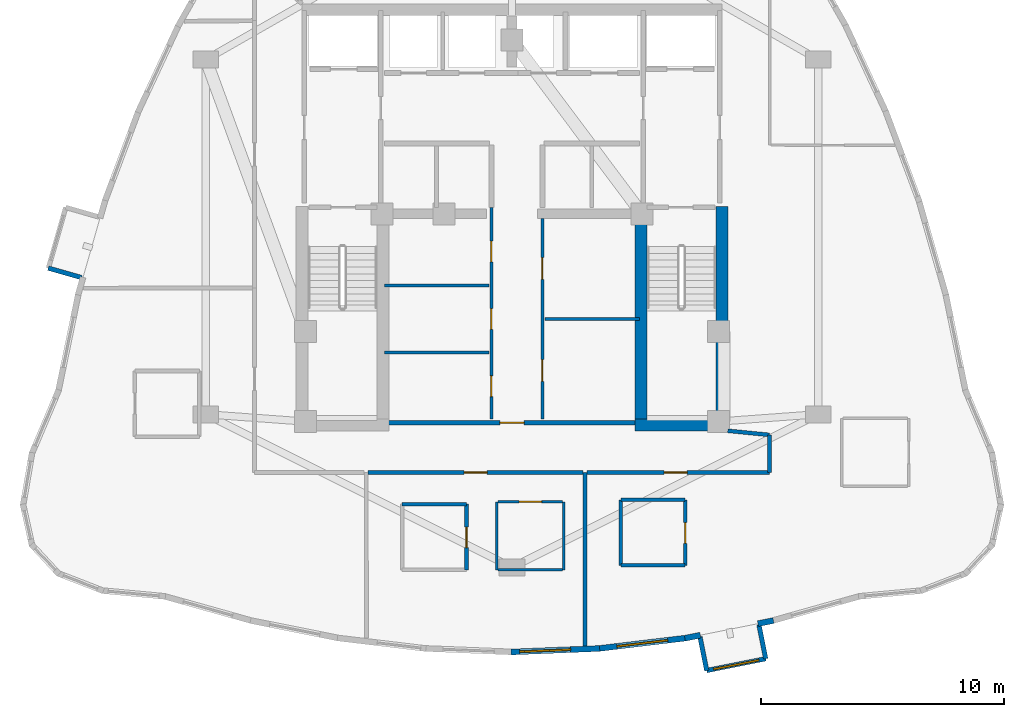
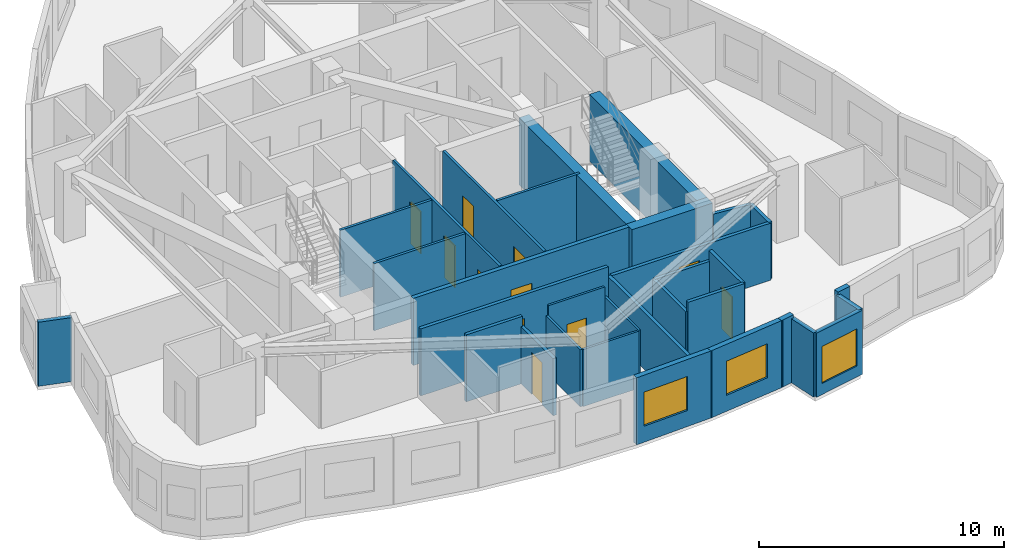
# One storey, part 4 of 9: 32 walls, 11 doors, 3 windows, 14 openings.
"""IFC4 building model written with IfcOpenShell, lengths in metres."""

from ifc_helpers import new_model, si_unit, direction, frame, frame_2d, origin, place, context, subcontext, project, spatial, rectangle, extrude, material, layer, layer_set, type_object, element, fill, save


model = new_model("IFC4")

# Units and contexts
model_context = context("Model", 3, precision=1e-05, world=origin(), true_north=direction((0.0, 1.0)))
body_context = subcontext(model_context, "Body", "Model", "MODEL_VIEW")
ifc_project = project(units=[si_unit("LENGTHUNIT", "METRE"), si_unit("AREAUNIT", "SQUARE_METRE"), si_unit("VOLUMEUNIT", "CUBIC_METRE"), si_unit("PLANEANGLEUNIT", "RADIAN"), si_unit("MASSUNIT", "GRAM", prefix="KILO")], contexts=[model_context])

# Site, building, storey
site_placement = place(None, origin())
site = spatial("IfcSite", under=ifc_project, at=site_placement, CompositionType="ELEMENT")
building_placement = place(site_placement, origin())
building = spatial("IfcBuilding", under=site, at=building_placement, Name="Miruveldt Soraemaru", CompositionType="ELEMENT")
storey_placement = place(building_placement, frame((0.0, 0.0, 194.39990234375)))
storey = spatial("IfcBuildingStorey", under=building, at=storey_placement, Name="L53", CompositionType="ELEMENT", Elevation=194.39990234375)

# Walls
ifc_material_1 = material(Name="White powder-coated aluminium EN AW-6060 T6", Category="aluminium")
ifc_layer_1 = layer(ifc_material_1, 0.18994140625, Name="White powder-coated aluminium EN AW-6060 T6", Category="aluminium")
ifc_layer_set_1 = layer_set([ifc_layer_1], Name="White powder-coated aluminium EN AW-6060 T6")
wall_type_1 = type_object("IfcWallType", Name="WALL-BAY-ALU190", PredefinedType="SOLIDWALL", material=ifc_layer_set_1)
wall_1_placement = place(storey_placement, frame((24.914794921875, 41.81494140625, 0.0), z_axis=(0.0, 0.0, 1.0), x_axis=(0.961439844578, -0.275015318223, 0.0)))
element("IfcWall", 1, at=wall_1_placement, inside=storey, type_object=wall_type_1, Name="L53 Bay Window Side Cheek 1R", PredefinedType="SOLIDWALL", context=body_context, shape_type="SweptSolid", body=[
    extrude(rectangle(XDim=1.4248046875, YDim=0.18994140625, at=frame_2d((0.71240234375, 0.0))), origin(), (0.0, 0.0, 1.0), 3.195068359375),
])
wall_2_placement = place(storey_placement, frame((51.7333984375, 26.6484375, 0.0), z_axis=(0.0, 0.0, 1.0), x_axis=(0.196149079112, -0.980574086321, 0.0)))
element("IfcWall", 2, at=wall_2_placement, inside=storey, type_object=wall_type_1, Name="L53 Bay Window Side Cheek 2L", PredefinedType="SOLIDWALL", context=body_context, shape_type="SweptSolid", body=[
    extrude(rectangle(XDim=1.425048828125, YDim=0.18994140625, at=frame_2d((0.71240234375, 0.0))), origin(), (0.0, 0.0, 1.0), 3.195068359375),
])
wall_3_placement = place(storey_placement, frame((54.443603515625, 25.7373046875, 0.0), z_axis=(0.0, 0.0, 1.0), x_axis=(-0.196017281962, 0.980600441144, 0.0)))
element("IfcWall", 3, at=wall_3_placement, inside=storey, type_object=wall_type_1, Name="L53 Bay Window Side Cheek 2R", PredefinedType="SOLIDWALL", context=body_context, shape_type="SweptSolid", body=[
    extrude(rectangle(XDim=1.4248046875, YDim=0.18994140625, at=frame_2d((0.71240234375, 0.0))), origin(), (0.0, 0.0, 1.0), 3.195068359375),
])

# Wall, opening, window
wall_4_placement = place(storey_placement, frame((52.012939453125, 25.2509765625, 0.0), z_axis=(0.0, 0.0, 1.0), x_axis=(0.980565520471, 0.19619189602, 0.0)))
wall_4 = element("IfcWall", 4, at=wall_4_placement, inside=storey, type_object=wall_type_1, Name="L53 Bay Window Front Frame 2", PredefinedType="SOLIDWALL", context=body_context, shape_type="SweptSolid", body=[
    extrude(rectangle(XDim=2.478759765625, YDim=0.18994140625, at=frame_2d((1.2392578125, 0.0))), origin(), (0.0, 0.0, 1.0), 3.195068359375),
])
opening_1_placement = place(wall_4_placement, frame((0.2890625, 0.0, 0.550048828125)))
opening_1 = element("IfcOpeningElement", 5, at=opening_1_placement, cuts=wall_4, Name="Opening WN-6", PredefinedType="OPENING", context=body_context, shape_type="SweptSolid", body=[
    extrude(rectangle(XDim=1.89990234375, YDim=1.85009765625, at=frame_2d((0.949951171875, 0.925048828125))), frame((0.0, 0.10498046875, 0.0), z_axis=(0.0, -1.0, 0.0), x_axis=(1.0, 0.0, 0.0)), (0.0, 0.0, 1.0), 0.2099609375),
])
ifc_material_2 = material(Name="Triple low-e insulated glazing", Category="glass")
window_type_1 = type_object("IfcWindowType", Name="WIN-BAYW-1900x1850", PartitioningType="SINGLE_PANEL", PredefinedType="WINDOW", material=ifc_material_2)
window_1_placement = place(opening_1_placement, origin())
window_1 = element("IfcWindow", 6, at=window_1_placement, inside=storey, type_object=window_type_1, Name="L53 Projecting Bay Window 2", OverallHeight=1.85009765625, OverallWidth=1.89990234375, PartitioningType="SINGLE_PANEL", PredefinedType="WINDOW", context=body_context, shape_type="SweptSolid", body=[
    extrude(rectangle(XDim=1.89990234375, YDim=1.85009765625, at=frame_2d((0.949951171875, 0.925048828125))), frame((0.0, 0.030029296875, 0.0), z_axis=(0.0, -1.0, 0.0), x_axis=(1.0, 0.0, 0.0)), (0.0, 0.0, 1.0), 0.06005859375),
])
fill(opening_1, window_1)

# Walls
ifc_material_3 = material(Name="Concrete C60/75 (60 MPa)", Category="concrete")
ifc_layer_2 = layer(ifc_material_3, 0.47998046875, Name="Concrete C60/75 (60 MPa)", Category="concrete")
ifc_layer_set_2 = layer_set([ifc_layer_2], Name="Concrete C60/75 (60 MPa)")
wall_type_2 = type_object("IfcWallType", Name="WALL-CW-480", PredefinedType="SHEAR", material=ifc_layer_set_2)
wall_5_placement = place(storey_placement, frame((49.070068359375, 35.360107421875, 0.0), z_axis=(0.0, 0.0, 1.0), x_axis=(1.0, 0.0, 0.0)))
element("IfcWall", 7, at=wall_5_placement, inside=storey, type_object=wall_type_2, Name="L53 Central Core Shear Wall S2", PredefinedType="SHEAR", context=body_context, shape_type="SweptSolid", body=[
    extrude(rectangle(XDim=3.809814453125, YDim=0.47998046875, at=frame_2d((1.90478515625, 0.0))), origin(), (0.0, 0.0, 1.0), 3.34521484375),
])
wall_6_placement = place(storey_placement, frame((52.639892578125, 35.1201171875, 0.0), z_axis=(0.0, 0.0, 1.0), x_axis=(0.0, 1.0, 0.0)))
element("IfcWall", 8, at=wall_6_placement, inside=storey, type_object=wall_type_2, Name="L53 Central Core Shear Wall E1", PredefinedType="SHEAR", context=body_context, shape_type="SweptSolid", body=[
    extrude(rectangle(XDim=9.22998046875, YDim=0.47998046875, at=frame_2d((4.614990234375, 0.0))), origin(), (0.0, 0.0, 1.0), 3.34521484375),
])
wall_7_placement = place(storey_placement, frame((49.31005859375, 35.39990234375, 0.0), z_axis=(0.0, 0.0, 1.0), x_axis=(0.0, 1.0, 0.0)))
element("IfcWall", 9, at=wall_7_placement, inside=storey, type_object=wall_type_2, Name="L53 Central Core Shear Wall SE-INT", PredefinedType="SHEAR", context=body_context, shape_type="SweptSolid", body=[
    extrude(rectangle(XDim=8.9501953125, YDim=0.47998046875, at=frame_2d((4.47509765625, 0.0))), origin(), (0.0, 0.0, 1.0), 3.34521484375),
])

# Wall, opening, window
ifc_material_4 = material(Name="Precast concrete C45/55 (45 MPa)", Category="concrete")
ifc_layer_3 = layer(ifc_material_4, 0.239990234375, Name="Precast concrete C45/55 (45 MPa)", Category="concrete")
ifc_layer_set_3 = layer_set([ifc_layer_3], Name="Precast concrete C45/55 (45 MPa)")
wall_type_3 = type_object("IfcWallType", Name="WALL-EXT-PC240", PredefinedType="SOLIDWALL", material=ifc_layer_set_3)
wall_8_placement = place(storey_placement, frame((43.965087890625, 26.014404296875, 0.0), z_axis=(0.0, 0.0, 1.0), x_axis=(0.999198819095, 0.040021493223, 0.0)))
wall_8 = element("IfcWall", 10, at=wall_8_placement, inside=storey, type_object=wall_type_3, Name="L53 Precast Concrete Facade Wall 25", PredefinedType="SOLIDWALL", context=body_context, shape_type="SweptSolid", body=[
    extrude(rectangle(XDim=3.64794921875, YDim=0.239990234375, at=frame_2d((1.823974609375, 0.0))), origin(), (0.0, 0.0, 1.0), 3.34521484375),
])
opening_2_placement = place(wall_8_placement, frame((0.35107421875, 0.0, 0.800048828125)))
opening_2 = element("IfcOpeningElement", 11, at=opening_2_placement, cuts=wall_8, Name="Opening WN-1", PredefinedType="OPENING", context=body_context, shape_type="SweptSolid", body=[
    extrude(rectangle(XDim=2.10009765625, YDim=1.699951171875, at=frame_2d((1.050048828125, 0.85009765625))), frame((0.0, 0.1298828125, 0.0), z_axis=(0.0, -1.0, 0.0), x_axis=(1.0, 0.0, 0.0)), (0.0, 0.0, 1.0), 0.260009765625),
])
window_type_2 = type_object("IfcWindowType", Name="WIN-PUNCH-2100x1700", PartitioningType="SINGLE_PANEL", PredefinedType="WINDOW", material=ifc_material_2)
window_2_placement = place(opening_2_placement, origin())
window_2 = element("IfcWindow", 12, at=window_2_placement, inside=storey, type_object=window_type_2, Name="L53 Punched Triple-Glazed Window 25.1", OverallHeight=1.699951171875, OverallWidth=2.10009765625, PartitioningType="SINGLE_PANEL", PredefinedType="WINDOW", context=body_context, shape_type="SweptSolid", body=[
    extrude(rectangle(XDim=2.10009765625, YDim=1.699951171875, at=frame_2d((1.050048828125, 0.85009765625))), frame((0.0, 0.030029296875, 0.0), z_axis=(0.0, -1.0, 0.0), x_axis=(1.0, 0.0, 0.0)), (0.0, 0.0, 1.0), 0.06005859375),
])
fill(opening_2, window_2)

wall_9_placement = place(storey_placement, frame((47.540283203125, 26.15478515625, 0.0), z_axis=(0.0, 0.0, 1.0), x_axis=(0.992881557913, 0.11910588548, 0.0)))
wall_9 = element("IfcWall", 13, at=wall_9_placement, inside=storey, type_object=wall_type_3, Name="L53 Precast Concrete Facade Wall 26", PredefinedType="SOLIDWALL", context=body_context, shape_type="SweptSolid", body=[
    extrude(rectangle(XDim=3.671142578125, YDim=0.239990234375, at=frame_2d((1.83544921875, 0.0))), origin(), (0.0, 0.0, 1.0), 3.34521484375),
])
opening_3_placement = place(wall_9_placement, frame((0.785888671875, 0.0, 0.800048828125)))
opening_3 = element("IfcOpeningElement", 14, at=opening_3_placement, cuts=wall_9, Name="Opening WN-1", PredefinedType="OPENING", context=body_context, shape_type="SweptSolid", body=[
    extrude(rectangle(XDim=2.10009765625, YDim=1.699951171875, at=frame_2d((1.050048828125, 0.85009765625))), frame((0.0, 0.1298828125, 0.0), z_axis=(0.0, -1.0, 0.0), x_axis=(1.0, 0.0, 0.0)), (0.0, 0.0, 1.0), 0.260009765625),
])
window_3_placement = place(opening_3_placement, origin())
window_3 = element("IfcWindow", 15, at=window_3_placement, inside=storey, type_object=window_type_2, Name="L53 Punched Triple-Glazed Window 26.1", OverallHeight=1.699951171875, OverallWidth=2.10009765625, PartitioningType="SINGLE_PANEL", PredefinedType="WINDOW", context=body_context, shape_type="SweptSolid", body=[
    extrude(rectangle(XDim=2.10009765625, YDim=1.699951171875, at=frame_2d((1.050048828125, 0.85009765625))), frame((0.0, 0.030029296875, 0.0), z_axis=(0.0, -1.0, 0.0), x_axis=(1.0, 0.0, 0.0)), (0.0, 0.0, 1.0), 0.06005859375),
])
fill(opening_3, window_3)

# Walls
for number, where, z_axis, x_axis, name in (
    (16, (51.1162109375, 26.5810546875, 0.0), (0.0, 0.0, 1.0), (0.980580675691, 0.196116135138, 0.0), "L53 Precast Pier Wall 27A"),
    (17, (54.1240234375, 27.1826171875, 0.0), (0.0, 0.0, 1.0), (0.980580675691, 0.196116135138, 0.0), "L53 Precast Pier Wall 27B"),
):
    element("IfcWall", number, at=place(storey_placement, frame(where, z_axis=z_axis, x_axis=x_axis)), inside=storey, type_object=wall_type_3, Name=name, PredefinedType="SOLIDWALL", context=body_context, shape_type="SweptSolid", body=[
        extrude(rectangle(XDim=0.648681640625, YDim=0.239990234375, at=frame_2d((0.32421875, 0.0))), origin(), (0.0, 0.0, 1.0), 3.34521484375),
    ])

# Wall, opening, door
ifc_material_5 = material(Name="Gypsum plasterboard lining", Category="gypsum")
ifc_layer_4 = layer(ifc_material_5, 0.10009765625, Name="Gypsum plasterboard lining", Category="gypsum")
ifc_layer_set_4 = layer_set([ifc_layer_4], Name="Gypsum plasterboard lining")
wall_type_4 = type_object("IfcWallType", Name="WALL-INT-P100", PredefinedType="PARTITIONING", material=ifc_layer_set_4)
wall_10_placement = place(storey_placement, frame((46.080078125, 32.197998046875, 0.0), z_axis=(0.0, 0.0, 1.0), x_axis=(-1.0, 0.0, 0.0)))
wall_10 = element("IfcWall", 18, at=wall_10_placement, inside=storey, type_object=wall_type_4, Name="L53 Partition Wall 32", PredefinedType="PARTITIONING", context=body_context, shape_type="SweptSolid", body=[
    extrude(rectangle(XDim=2.650146484375, YDim=0.10009765625, at=frame_2d((1.3251953125, 0.0))), origin(), (0.0, 0.0, 1.0), 3.34521484375),
])
opening_4_placement = place(wall_10_placement, frame((0.864990234375, 0.0, 0.0)))
opening_4 = element("IfcOpeningElement", 19, at=opening_4_placement, cuts=wall_10, Name="Opening D3A", PredefinedType="OPENING", context=body_context, shape_type="SweptSolid", body=[
    extrude(rectangle(XDim=0.919921875, YDim=2.10009765625, at=frame_2d((0.4599609375, 1.050048828125))), frame((0.0, 0.06005859375, 0.0), z_axis=(0.0, -1.0, 0.0), x_axis=(1.0, 0.0, 0.0)), (0.0, 0.0, 1.0), 0.1201171875),
])
ifc_material_6 = material(Name="Anodised aluminium EN AW-6063 T6", Category="aluminium")
door_type_1 = type_object("IfcDoorType", Name="DOOR-INT-920", OperationType="NOTDEFINED", PredefinedType="DOOR", material=ifc_material_6)
door_1_placement = place(opening_4_placement, origin())
door_1 = element("IfcDoor", 20, at=door_1_placement, inside=storey, type_object=door_type_1, Name="L53 Unit 5305 KIT Door", OperationType="SINGLE_SWING_RIGHT", OverallHeight=2.10009765625, OverallWidth=0.919921875, PredefinedType="DOOR", context=body_context, shape_type="SweptSolid", body=[
    extrude(rectangle(XDim=0.919921875, YDim=2.10009765625, at=frame_2d((0.4599609375, 1.050048828125))), frame((0.0, 0.02490234375, 0.0), z_axis=(0.0, -1.0, 0.0), x_axis=(1.0, 0.0, 0.0)), (0.0, 0.0, 1.0), 0.050048828125),
])
fill(opening_4, door_1)

# Walls
for number, where, z_axis, x_axis, name in (
    (21, (46.1298828125, 29.39794921875, 0.0), (0.0, 0.0, 1.0), (0.0, 1.0, 0.0), "L53 Partition Wall 31"),
    (22, (43.3798828125, 32.197998046875, 0.0), (0.0, 0.0, 1.0), (0.0, -1.0, 0.0), "L53 Partition Wall 33"),
):
    element("IfcWall", number, at=place(storey_placement, frame(where, z_axis=z_axis, x_axis=x_axis)), inside=storey, type_object=wall_type_4, Name=name, PredefinedType="PARTITIONING", context=body_context, shape_type="SweptSolid", body=[
        extrude(rectangle(XDim=2.800048828125, YDim=0.10009765625, at=frame_2d((1.39990234375, 0.0))), origin(), (0.0, 0.0, 1.0), 2.84521484375),
    ])
wall_11_placement = place(storey_placement, frame((43.429931640625, 29.39794921875, 0.0), z_axis=(0.0, 0.0, 1.0), x_axis=(1.0, 0.0, 0.0)))
element("IfcWall", 23, at=wall_11_placement, inside=storey, type_object=wall_type_4, Name="L53 Partition Wall 34", PredefinedType="PARTITIONING", context=body_context, shape_type="SweptSolid", body=[
    extrude(rectangle(XDim=2.650146484375, YDim=0.10009765625, at=frame_2d((1.3251953125, 0.0))), origin(), (0.0, 0.0, 1.0), 2.84521484375),
])

# Wall, openings, doors
ifc_layer_5 = layer(ifc_material_5, 0.1201171875, Name="Gypsum plasterboard lining", Category="gypsum")
ifc_layer_set_5 = layer_set([ifc_layer_5], Name="Gypsum plasterboard lining")
wall_type_5 = type_object("IfcWallType", Name="WALL-INT-P120", PredefinedType="PARTITIONING", material=ifc_layer_set_5)
wall_12_placement = place(storey_placement, frame((43.14990234375, 35.60009765625, 0.0), z_axis=(0.0, 0.0, 1.0), x_axis=(0.0, 1.0, 0.0)))
wall_12 = element("IfcWall", 24, at=wall_12_placement, inside=storey, type_object=wall_type_5, Name="L53 Core Compartment Wall SP-WL", PredefinedType="PARTITIONING", context=body_context, shape_type="SweptSolid", body=[
    extrude(rectangle(XDim=8.699951171875, YDim=0.1201171875, at=frame_2d((4.35009765625, 0.0))), origin(), (0.0, 0.0, 1.0), 3.34521484375),
])
opening_5_placement = place(wall_12_placement, frame((0.925048828125, 0.0, 0.0)))
opening_5 = element("IfcOpeningElement", 25, at=opening_5_placement, cuts=wall_12, Name="Opening FD3", PredefinedType="OPENING", context=body_context, shape_type="SweptSolid", body=[
    extrude(rectangle(XDim=0.85009765625, YDim=2.10009765625, at=frame_2d((0.425048828125, 1.050048828125))), frame((0.0, 0.070068359375, 0.0), z_axis=(0.0, -1.0, 0.0), x_axis=(1.0, 0.0, 0.0)), (0.0, 0.0, 1.0), 0.14013671875),
])
opening_6_placement = place(wall_12_placement, frame((3.695068359375, 0.0, 0.0)))
opening_6 = element("IfcOpeningElement", 26, at=opening_6_placement, cuts=wall_12, Name="Opening FD3", PredefinedType="OPENING", context=body_context, shape_type="SweptSolid", body=[
    extrude(rectangle(XDim=0.85009765625, YDim=2.10009765625, at=frame_2d((0.425048828125, 1.050048828125))), frame((0.0, 0.070068359375, 0.0), z_axis=(0.0, -1.0, 0.0), x_axis=(1.0, 0.0, 0.0)), (0.0, 0.0, 1.0), 0.14013671875),
])
opening_7_placement = place(wall_12_placement, frame((6.47509765625, 0.0, 0.0)))
opening_7 = element("IfcOpeningElement", 27, at=opening_7_placement, cuts=wall_12, Name="Opening FD3", PredefinedType="OPENING", context=body_context, shape_type="SweptSolid", body=[
    extrude(rectangle(XDim=0.85009765625, YDim=2.10009765625, at=frame_2d((0.425048828125, 1.050048828125))), frame((0.0, 0.070068359375, 0.0), z_axis=(0.0, -1.0, 0.0), x_axis=(1.0, 0.0, 0.0)), (0.0, 0.0, 1.0), 0.14013671875),
])
door_type_2 = type_object("IfcDoorType", Name="DOOR-FD3-850", OperationType="NOTDEFINED", PredefinedType="DOOR", material=ifc_material_6)
door_2_placement = place(opening_5_placement, origin())
door_2 = element("IfcDoor", 28, at=door_2_placement, inside=storey, type_object=door_type_2, Name="L53 Fire Door", OperationType="SINGLE_SWING_LEFT", OverallHeight=2.10009765625, OverallWidth=0.85009765625, PredefinedType="DOOR", context=body_context, shape_type="SweptSolid", body=[
    extrude(rectangle(XDim=0.85009765625, YDim=2.10009765625, at=frame_2d((0.425048828125, 1.050048828125))), frame((0.0, 0.02490234375, 0.0), z_axis=(0.0, -1.0, 0.0), x_axis=(1.0, 0.0, 0.0)), (0.0, 0.0, 1.0), 0.050048828125),
])
fill(opening_5, door_2)
door_3_placement = place(opening_6_placement, origin())
door_3 = element("IfcDoor", 29, at=door_3_placement, inside=storey, type_object=door_type_2, Name="L53 Fire Door", OperationType="SINGLE_SWING_LEFT", OverallHeight=2.10009765625, OverallWidth=0.85009765625, PredefinedType="DOOR", context=body_context, shape_type="SweptSolid", body=[
    extrude(rectangle(XDim=0.85009765625, YDim=2.10009765625, at=frame_2d((0.425048828125, 1.050048828125))), frame((0.0, 0.02490234375, 0.0), z_axis=(0.0, -1.0, 0.0), x_axis=(1.0, 0.0, 0.0)), (0.0, 0.0, 1.0), 0.050048828125),
])
fill(opening_6, door_3)
door_4_placement = place(opening_7_placement, origin())
door_4 = element("IfcDoor", 30, at=door_4_placement, inside=storey, type_object=door_type_2, Name="L53 Fire Door", OperationType="SINGLE_SWING_LEFT", OverallHeight=2.10009765625, OverallWidth=0.85009765625, PredefinedType="DOOR", context=body_context, shape_type="SweptSolid", body=[
    extrude(rectangle(XDim=0.85009765625, YDim=2.10009765625, at=frame_2d((0.425048828125, 1.050048828125))), frame((0.0, 0.02490234375, 0.0), z_axis=(0.0, -1.0, 0.0), x_axis=(1.0, 0.0, 0.0)), (0.0, 0.0, 1.0), 0.050048828125),
])
fill(opening_7, door_4)

wall_13_placement = place(storey_placement, frame((45.25, 35.60009765625, 0.0), z_axis=(0.0, 0.0, 1.0), x_axis=(0.0, 1.0, 0.0)))
wall_13 = element("IfcWall", 31, at=wall_13_placement, inside=storey, type_object=wall_type_5, Name="L53 Core Compartment Wall SP-EL", PredefinedType="PARTITIONING", context=body_context, shape_type="SweptSolid", body=[
    extrude(rectangle(XDim=8.25, YDim=0.1201171875, at=frame_2d((4.125, 0.0))), origin(), (0.0, 0.0, 1.0), 3.34521484375),
])
opening_8_placement = place(wall_13_placement, frame((1.550048828125, 0.0, 0.0)))
opening_8 = element("IfcOpeningElement", 32, at=opening_8_placement, cuts=wall_13, Name="Opening D3", PredefinedType="OPENING", context=body_context, shape_type="SweptSolid", body=[
    extrude(rectangle(XDim=0.89990234375, YDim=2.10009765625, at=frame_2d((0.449951171875, 1.050048828125))), frame((0.0, 0.070068359375, 0.0), z_axis=(0.0, -1.0, 0.0), x_axis=(1.0, 0.0, 0.0)), (0.0, 0.0, 1.0), 0.14013671875),
])
opening_9_placement = place(wall_13_placement, frame((5.75, 0.0, 0.0)))
opening_9 = element("IfcOpeningElement", 33, at=opening_9_placement, cuts=wall_13, Name="Opening D3", PredefinedType="OPENING", context=body_context, shape_type="SweptSolid", body=[
    extrude(rectangle(XDim=0.89990234375, YDim=2.10009765625, at=frame_2d((0.449951171875, 1.050048828125))), frame((0.0, 0.070068359375, 0.0), z_axis=(0.0, -1.0, 0.0), x_axis=(1.0, 0.0, 0.0)), (0.0, 0.0, 1.0), 0.14013671875),
])
door_type_3 = type_object("IfcDoorType", Name="DOOR-INT-900", OperationType="NOTDEFINED", PredefinedType="DOOR", material=ifc_material_6)
door_5_placement = place(opening_8_placement, origin())
door_5 = element("IfcDoor", 34, at=door_5_placement, inside=storey, type_object=door_type_3, Name="L53 Fire Door", OperationType="SINGLE_SWING_LEFT", OverallHeight=2.10009765625, OverallWidth=0.89990234375, PredefinedType="DOOR", context=body_context, shape_type="SweptSolid", body=[
    extrude(rectangle(XDim=0.89990234375, YDim=2.10009765625, at=frame_2d((0.449951171875, 1.050048828125))), frame((0.0, 0.02490234375, 0.0), z_axis=(0.0, -1.0, 0.0), x_axis=(1.0, 0.0, 0.0)), (0.0, 0.0, 1.0), 0.050048828125),
])
fill(opening_8, door_5)
door_6_placement = place(opening_9_placement, origin())
door_6 = element("IfcDoor", 35, at=door_6_placement, inside=storey, type_object=door_type_3, Name="L53 Fire Door", OperationType="SINGLE_SWING_LEFT", OverallHeight=2.10009765625, OverallWidth=0.89990234375, PredefinedType="DOOR", context=body_context, shape_type="SweptSolid", body=[
    extrude(rectangle(XDim=0.89990234375, YDim=2.10009765625, at=frame_2d((0.449951171875, 1.050048828125))), frame((0.0, 0.02490234375, 0.0), z_axis=(0.0, -1.0, 0.0), x_axis=(1.0, 0.0, 0.0)), (0.0, 0.0, 1.0), 0.050048828125),
])
fill(opening_9, door_6)

# Walls
for number, where, z_axis, x_axis, name in (
    (36, (38.75, 38.35009765625, 0.0), (0.0, 0.0, 1.0), (1.0, 0.0, 0.0), "L53 Core Compartment Wall RL-W3A"),
    (37, (38.75, 41.10009765625, 0.0), (0.0, 0.0, 1.0), (1.0, 0.0, 0.0), "L53 Core Compartment Wall RL-W3B"),
):
    element("IfcWall", number, at=place(storey_placement, frame(where, z_axis=z_axis, x_axis=x_axis)), inside=storey, type_object=wall_type_5, Name=name, PredefinedType="PARTITIONING", context=body_context, shape_type="SweptSolid", body=[
        extrude(rectangle(XDim=4.300048828125, YDim=0.1201171875, at=frame_2d((2.14990234375, 0.0))), origin(), (0.0, 0.0, 1.0), 3.34521484375),
    ])
wall_14_placement = place(storey_placement, frame((45.35009765625, 39.719970703125, 0.0), z_axis=(0.0, 0.0, 1.0), x_axis=(1.0, 0.0, 0.0)))
element("IfcWall", 38, at=wall_14_placement, inside=storey, type_object=wall_type_5, Name="L53 Core Compartment Wall RL-E3H", PredefinedType="PARTITIONING", context=body_context, shape_type="SweptSolid", body=[
    extrude(rectangle(XDim=3.89990234375, YDim=0.1201171875, at=frame_2d((1.949951171875, 0.0))), origin(), (0.0, 0.0, 1.0), 3.34521484375),
])

# Wall, opening, door
ifc_layer_6 = layer(ifc_material_5, 0.14990234375, Name="Gypsum plasterboard lining", Category="gypsum")
ifc_layer_set_6 = layer_set([ifc_layer_6], Name="Gypsum plasterboard lining")
wall_type_6 = type_object("IfcWallType", Name="WALL-INT-PLUMB", PredefinedType="PLUMBINGWALL", material=ifc_layer_set_6)
wall_15_placement = place(storey_placement, frame((51.1298828125, 29.5791015625, 0.0), z_axis=(0.0, 0.0, 1.0), x_axis=(0.0, 1.0, 0.0)))
wall_15 = element("IfcWall", 39, at=wall_15_placement, inside=storey, type_object=wall_type_6, Name="L53 Partition Wall 36", PredefinedType="PLUMBINGWALL", context=body_context, shape_type="SweptSolid", body=[
    extrude(rectangle(XDim=2.699951171875, YDim=0.14990234375, at=frame_2d((1.35009765625, 0.0))), origin(), (0.0, 0.0, 1.0), 3.34521484375),
])
opening_10_placement = place(wall_15_placement, frame((0.909912109375, 0.0, 0.0)))
opening_10 = element("IfcOpeningElement", 40, at=opening_10_placement, cuts=wall_15, Name="Opening FD3", PredefinedType="OPENING", context=body_context, shape_type="SweptSolid", body=[
    extrude(rectangle(XDim=0.85009765625, YDim=2.10009765625, at=frame_2d((0.425048828125, 1.050048828125))), frame((0.0, 0.0849609375, 0.0), z_axis=(0.0, -1.0, 0.0), x_axis=(1.0, 0.0, 0.0)), (0.0, 0.0, 1.0), 0.169921875),
])
door_7_placement = place(opening_10_placement, origin())
door_7 = element("IfcDoor", 41, at=door_7_placement, inside=storey, type_object=door_type_2, Name="L53 Unit 5306 BTH Door", OperationType="SINGLE_SWING_RIGHT", OverallHeight=2.10009765625, OverallWidth=0.85009765625, PredefinedType="DOOR", context=body_context, shape_type="SweptSolid", body=[
    extrude(rectangle(XDim=0.85009765625, YDim=2.10009765625, at=frame_2d((0.425048828125, 1.050048828125))), frame((0.0, 0.02490234375, 0.0), z_axis=(0.0, -1.0, 0.0), x_axis=(1.0, 0.0, 0.0)), (0.0, 0.0, 1.0), 0.050048828125),
])
fill(opening_10, door_7)

wall_16_placement = place(storey_placement, frame((42.1298828125, 29.39794921875, 0.0), z_axis=(0.0, 0.0, 1.0), x_axis=(0.0, 1.0, 0.0)))
wall_16 = element("IfcWall", 42, at=wall_16_placement, inside=storey, type_object=wall_type_6, Name="L53 Partition Wall 27", PredefinedType="PLUMBINGWALL", context=body_context, shape_type="SweptSolid", body=[
    extrude(rectangle(XDim=2.699951171875, YDim=0.14990234375, at=frame_2d((1.35009765625, 0.0))), origin(), (0.0, 0.0, 1.0), 2.84521484375),
])
opening_11_placement = place(wall_16_placement, frame((0.909912109375, 0.0, 0.0)))
opening_11 = element("IfcOpeningElement", 43, at=opening_11_placement, cuts=wall_16, Name="Opening FD3", PredefinedType="OPENING", context=body_context, shape_type="SweptSolid", body=[
    extrude(rectangle(XDim=0.85009765625, YDim=2.10009765625, at=frame_2d((0.425048828125, 1.050048828125))), frame((0.0, 0.0849609375, 0.0), z_axis=(0.0, -1.0, 0.0), x_axis=(1.0, 0.0, 0.0)), (0.0, 0.0, 1.0), 0.169921875),
])
door_8_placement = place(opening_11_placement, origin())
door_8 = element("IfcDoor", 44, at=door_8_placement, inside=storey, type_object=door_type_2, Name="L53 Unit 5305 BTH Door", OperationType="SINGLE_SWING_LEFT", OverallHeight=2.10009765625, OverallWidth=0.85009765625, PredefinedType="DOOR", context=body_context, shape_type="SweptSolid", body=[
    extrude(rectangle(XDim=0.85009765625, YDim=2.10009765625, at=frame_2d((0.425048828125, 1.050048828125))), frame((0.0, 0.02490234375, 0.0), z_axis=(0.0, -1.0, 0.0), x_axis=(1.0, 0.0, 0.0)), (0.0, 0.0, 1.0), 0.050048828125),
])
fill(opening_11, door_8)

# Walls
wall_17_placement = place(storey_placement, frame((48.47998046875, 32.279052734375, 0.0), z_axis=(0.0, 0.0, 1.0), x_axis=(0.0, -1.0, 0.0)))
element("IfcWall", 45, at=wall_17_placement, inside=storey, type_object=wall_type_6, Name="L53 Partition Wall 38", PredefinedType="PLUMBINGWALL", context=body_context, shape_type="SweptSolid", body=[
    extrude(rectangle(XDim=2.699951171875, YDim=0.14990234375, at=frame_2d((1.35009765625, 0.0))), origin(), (0.0, 0.0, 1.0), 2.84521484375),
])
wall_18_placement = place(storey_placement, frame((42.1298828125, 32.097900390625, 0.0), z_axis=(0.0, 0.0, 1.0), x_axis=(-1.0, 0.0, 0.0)))
element("IfcWall", 46, at=wall_18_placement, inside=storey, type_object=wall_type_6, Name="L53 Partition Wall 28", PredefinedType="PLUMBINGWALL", context=body_context, shape_type="SweptSolid", body=[
    extrude(rectangle(XDim=2.64990234375, YDim=0.14990234375, at=frame_2d((1.324951171875, 0.0))), origin(), (0.0, 0.0, 1.0), 3.34521484375),
])
wall_19_placement = place(storey_placement, frame((51.1298828125, 32.279052734375, 0.0), z_axis=(0.0, 0.0, 1.0), x_axis=(-1.0, 0.0, 0.0)))
element("IfcWall", 47, at=wall_19_placement, inside=storey, type_object=wall_type_6, Name="L53 Partition Wall 37", PredefinedType="PLUMBINGWALL", context=body_context, shape_type="SweptSolid", body=[
    extrude(rectangle(XDim=2.64990234375, YDim=0.14990234375, at=frame_2d((1.324951171875, 0.0))), origin(), (0.0, 0.0, 1.0), 2.84521484375),
])
wall_20_placement = place(storey_placement, frame((48.47998046875, 29.5791015625, 0.0), z_axis=(0.0, 0.0, 1.0), x_axis=(1.0, 0.0, 0.0)))
element("IfcWall", 48, at=wall_20_placement, inside=storey, type_object=wall_type_6, Name="L53 Partition Wall 39", PredefinedType="PLUMBINGWALL", context=body_context, shape_type="SweptSolid", body=[
    extrude(rectangle(XDim=2.64990234375, YDim=0.14990234375, at=frame_2d((1.324951171875, 0.0))), origin(), (0.0, 0.0, 1.0), 3.34521484375),
])

# Wall, opening, door
ifc_material_7 = material(Name="Concrete C40/50 (40 MPa)", Category="concrete")
ifc_layer_7 = layer(ifc_material_7, 0.159912109375, Name="Concrete C40/50 (40 MPa)", Category="concrete")
ifc_layer_set_7 = layer_set([ifc_layer_7], Name="Concrete C40/50 (40 MPa)")
wall_type_7 = type_object("IfcWallType", Name="WALL-INT-RC160", PredefinedType="SOLIDWALL", material=ifc_layer_set_7)
wall_21_placement = place(storey_placement, frame((38.080078125, 33.39990234375, 0.0), z_axis=(0.0, 0.0, 1.0), x_axis=(1.0, 0.0, 0.0)))
wall_21 = element("IfcWall", 49, at=wall_21_placement, inside=storey, type_object=wall_type_7, Name="L53 Partition Wall 7", PredefinedType="SOLIDWALL", context=body_context, shape_type="SweptSolid", body=[
    extrude(rectangle(XDim=8.83984375, YDim=0.159912109375, at=frame_2d((4.419921875, 0.0))), origin(), (0.0, 0.0, 1.0), 3.34521484375),
])
opening_12_placement = place(wall_21_placement, frame((3.945068359375, 0.0, 0.0)))
opening_12 = element("IfcOpeningElement", 50, at=opening_12_placement, cuts=wall_21, Name="Opening FD2", PredefinedType="OPENING", context=body_context, shape_type="SweptSolid", body=[
    extrude(rectangle(XDim=0.949951171875, YDim=2.14990234375, at=frame_2d((0.47509765625, 1.074951171875))), frame((0.0, 0.08984375, 0.0), z_axis=(0.0, -1.0, 0.0), x_axis=(1.0, 0.0, 0.0)), (0.0, 0.0, 1.0), 0.179931640625),
])
door_type_4 = type_object("IfcDoorType", Name="DOOR-FD2-950", OperationType="NOTDEFINED", PredefinedType="DOOR", material=ifc_material_6)
door_9_placement = place(opening_12_placement, origin())
door_9 = element("IfcDoor", 51, at=door_9_placement, inside=storey, type_object=door_type_4, Name="L53 Unit 5305 Entrance Fire Door", OperationType="SINGLE_SWING_RIGHT", OverallHeight=2.14990234375, OverallWidth=0.949951171875, PredefinedType="DOOR", context=body_context, shape_type="SweptSolid", body=[
    extrude(rectangle(XDim=0.949951171875, YDim=2.14990234375, at=frame_2d((0.47509765625, 1.074951171875))), frame((0.0, 0.02490234375, 0.0), z_axis=(0.0, -1.0, 0.0), x_axis=(1.0, 0.0, 0.0)), (0.0, 0.0, 1.0), 0.050048828125),
])
fill(opening_12, door_9)

wall_22_placement = place(storey_placement, frame((47.0830078125, 33.39990234375, 0.0), z_axis=(0.0, 0.0, 1.0), x_axis=(1.0, 0.0, 0.0)))
wall_22 = element("IfcWall", 52, at=wall_22_placement, inside=storey, type_object=wall_type_7, Name="L53 Partition Wall 10", PredefinedType="SOLIDWALL", context=body_context, shape_type="SweptSolid", body=[
    extrude(rectangle(XDim=7.51708984375, YDim=0.159912109375, at=frame_2d((3.758544921875, 0.0))), origin(), (0.0, 0.0, 1.0), 2.84521484375),
])
opening_13_placement = place(wall_22_placement, frame((3.174072265625, 0.0, 0.0)))
opening_13 = element("IfcOpeningElement", 53, at=opening_13_placement, cuts=wall_22, Name="Opening FD2", PredefinedType="OPENING", context=body_context, shape_type="SweptSolid", body=[
    extrude(rectangle(XDim=0.949951171875, YDim=2.14990234375, at=frame_2d((0.47509765625, 1.074951171875))), frame((0.0, 0.08984375, 0.0), z_axis=(0.0, -1.0, 0.0), x_axis=(1.0, 0.0, 0.0)), (0.0, 0.0, 1.0), 0.179931640625),
])
door_10_placement = place(opening_13_placement, origin())
door_10 = element("IfcDoor", 54, at=door_10_placement, inside=storey, type_object=door_type_4, Name="L53 Unit 5306 Entrance Fire Door", OperationType="SINGLE_SWING_LEFT", OverallHeight=2.14990234375, OverallWidth=0.949951171875, PredefinedType="DOOR", context=body_context, shape_type="SweptSolid", body=[
    extrude(rectangle(XDim=0.949951171875, YDim=2.14990234375, at=frame_2d((0.47509765625, 1.074951171875))), frame((0.0, 0.02490234375, 0.0), z_axis=(0.0, -1.0, 0.0), x_axis=(1.0, 0.0, 0.0)), (0.0, 0.0, 1.0), 0.050048828125),
])
fill(opening_13, door_10)

# Walls
wall_23_placement = place(storey_placement, frame((46.998046875, 26.27099609375, 0.0), z_axis=(0.0, 0.0, 1.0), x_axis=(0.00027408523, 0.999999962439, 0.0)))
element("IfcWall", 55, at=wall_23_placement, inside=storey, type_object=wall_type_7, Name="L53 Partition Wall 35", PredefinedType="SOLIDWALL", context=body_context, shape_type="SweptSolid", body=[
    extrude(rectangle(XDim=7.1259765625, YDim=0.159912109375, at=frame_2d((3.56298828125, 0.0))), origin(), (0.0, 0.0, 1.0), 2.84521484375),
])
wall_24_placement = place(storey_placement, frame((54.60009765625, 34.949951171875, 0.0), z_axis=(0.0, 0.0, 1.0), x_axis=(-0.995142898622, 0.098440902688, 0.0)))
element("IfcWall", 56, at=wall_24_placement, inside=storey, type_object=wall_type_7, Name="L53 Partition Wall 9", PredefinedType="SOLIDWALL", context=body_context, shape_type="SweptSolid", body=[
    extrude(rectangle(XDim=1.728515625, YDim=0.159912109375, at=frame_2d((0.8642578125, 0.0))), origin(), (0.0, 0.0, 1.0), 2.84521484375),
])
wall_25_placement = place(storey_placement, frame((54.60009765625, 33.39990234375, 0.0), z_axis=(0.0, 0.0, 1.0), x_axis=(0.0, 1.0, 0.0)))
element("IfcWall", 57, at=wall_25_placement, inside=storey, type_object=wall_type_7, Name="L53 Partition Wall 8", PredefinedType="SOLIDWALL", context=body_context, shape_type="SweptSolid", body=[
    extrude(rectangle(XDim=1.550048828125, YDim=0.159912109375, at=frame_2d((0.77490234375, 0.0))), origin(), (0.0, 0.0, 1.0), 2.84521484375),
])

# Wall, opening, door
ifc_layer_8 = layer(ifc_material_7, 0.199951171875, Name="Concrete C40/50 (40 MPa)", Category="concrete")
ifc_layer_set_8 = layer_set([ifc_layer_8], Name="Concrete C40/50 (40 MPa)")
wall_type_8 = type_object("IfcWallType", Name="WALL-INT-RC200", PredefinedType="SOLIDWALL", material=ifc_layer_set_8)
wall_26_placement = place(storey_placement, frame((38.89990234375, 35.449951171875, 0.0), z_axis=(0.0, 0.0, 1.0), x_axis=(1.0, 0.0, 0.0)))
wall_26 = element("IfcWall", 58, at=wall_26_placement, inside=storey, type_object=wall_type_8, Name="L53 Core Compartment Wall CS-S", PredefinedType="SOLIDWALL", context=body_context, shape_type="SweptSolid", body=[
    extrude(rectangle(XDim=10.2001953125, YDim=0.199951171875, at=frame_2d((5.10009765625, 0.0))), origin(), (0.0, 0.0, 1.0), 3.34521484375),
])
opening_14_placement = place(wall_26_placement, frame((4.60009765625, 0.0, 0.0)))
opening_14 = element("IfcOpeningElement", 59, at=opening_14_placement, cuts=wall_26, Name="Opening FD1", PredefinedType="OPENING", context=body_context, shape_type="SweptSolid", body=[
    extrude(rectangle(XDim=1.0, YDim=2.14990234375, at=frame_2d((0.5, 1.074951171875))), frame((0.0, 0.10986328125, 0.0), z_axis=(0.0, -1.0, 0.0), x_axis=(1.0, 0.0, 0.0)), (0.0, 0.0, 1.0), 0.219970703125),
])
door_type_5 = type_object("IfcDoorType", Name="DOOR-FD1-1000", OperationType="NOTDEFINED", PredefinedType="DOOR", material=ifc_material_6)
door_11_placement = place(opening_14_placement, origin())
door_11 = element("IfcDoor", 60, at=door_11_placement, inside=storey, type_object=door_type_5, Name="L53 Core South Lobby Fire Door", OperationType="SINGLE_SWING_LEFT", OverallHeight=2.14990234375, OverallWidth=1.0, PredefinedType="DOOR", context=body_context, shape_type="SweptSolid", body=[
    extrude(rectangle(XDim=1.0, YDim=2.14990234375, at=frame_2d((0.5, 1.074951171875))), frame((0.0, 0.02490234375, 0.0), z_axis=(0.0, -1.0, 0.0), x_axis=(1.0, 0.0, 0.0)), (0.0, 0.0, 1.0), 0.050048828125),
])
fill(opening_14, door_11)

save(model, "model.ifc")
